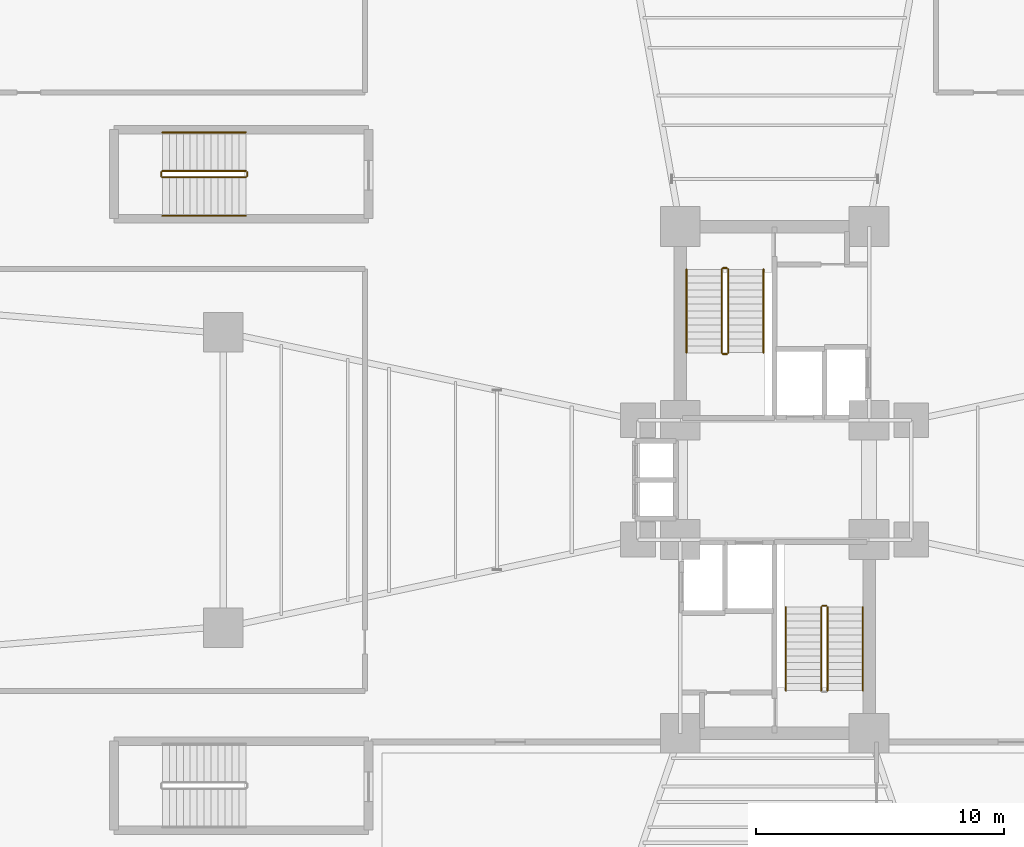
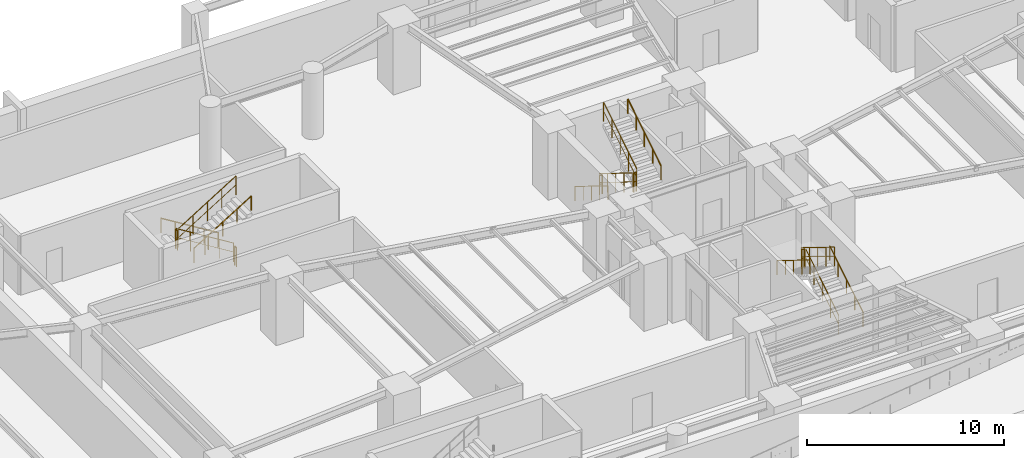
# One storey, part 13 of 14: 17 railings.
"""IFC4 building model written with IfcOpenShell, lengths in metres."""

from ifc_helpers import new_model, si_unit, direction, frame, origin, origin_2d, place, context, subcontext, project, spatial, circle, extrude, material, type_object, element, save


model = new_model("IFC4")

# Units and contexts
model_context = context("Model", 3, precision=1e-05, world=origin(), true_north=direction((0.0, 1.0)))
body_context = subcontext(model_context, "Body", "Model", "MODEL_VIEW")
ifc_project = project(units=[si_unit("LENGTHUNIT", "METRE"), si_unit("AREAUNIT", "SQUARE_METRE"), si_unit("VOLUMEUNIT", "CUBIC_METRE"), si_unit("PLANEANGLEUNIT", "RADIAN"), si_unit("MASSUNIT", "GRAM", prefix="KILO")], contexts=[model_context])

# Site, building, storey
site_placement = place(None, origin())
site = spatial("IfcSite", under=ifc_project, at=site_placement, CompositionType="ELEMENT")
building_placement = place(site_placement, origin())
building = spatial("IfcBuilding", under=site, at=building_placement, Name="Sahyath Konkavel Grand Hotel", CompositionType="ELEMENT")
storey_placement = place(building_placement, frame((0.0, 0.0, -4.5)))
storey = spatial("IfcBuildingStorey", under=building, at=storey_placement, Name="B1", CompositionType="ELEMENT", Elevation=-4.5)

# Railings
ifc_material_1 = material(Name="Steel E350", Category="steel")
railing_type_1 = type_object("IfcRailingType", Name="RLG-STAIR-GRD", PredefinedType="GUARDRAIL", material=ifc_material_1)
railing_1_placement = place(storey_placement, frame((-2.1298828125, 8.47998046875, 0.173095703125)))
element("IfcRailing", 1, at=railing_1_placement, inside=storey, type_object=railing_type_1, Name="B1 ST-1 stair guard 1", PredefinedType="GUARDRAIL", context=body_context, shape_type="SweptSolid", body=[
    extrude(circle(Radius=0.02392578125, at=origin_2d()), frame((0.0, -0.001708984375, 1.177001953125), z_axis=(0.0, -0.850606129759, 0.525803396734), x_axis=(1.0, 0.0, 0.0)), (0.0, 0.0, 1.0), 3.946044921875),
    extrude(circle(Radius=0.01416015625, at=origin_2d()), frame((0.0, -0.001708984375, 0.625), z_axis=(0.0, -0.850606129759, 0.525803396734), x_axis=(1.0, 0.0, 0.0)), (0.0, 0.0, 1.0), 3.946044921875),
    extrude(circle(Radius=0.02099609375, at=origin_2d()), origin(), (0.0, 0.0, 1.0), 1.15185546875),
    extrude(circle(Radius=0.02099609375, at=origin_2d()), frame((0.0, -0.83984375, 0.519287109375)), (0.0, 0.0, 1.0), 1.15185546875),
    extrude(circle(Radius=0.02099609375, at=origin_2d()), frame((0.0, -1.679931640625, 1.03857421875)), (0.0, 0.0, 1.0), 1.15185546875),
    extrude(circle(Radius=0.02099609375, at=origin_2d()), frame((0.0, -2.52001953125, 1.5576171875)), (0.0, 0.0, 1.0), 1.15185546875),
    extrude(circle(Radius=0.02099609375, at=origin_2d()), frame((0.0, -3.35986328125, 2.076904296875)), (0.0, 0.0, 1.0), 1.15185546875),
])
railing_2_placement = place(storey_placement, frame((-2.080078125, 5.070068359375, 2.25)))
element("IfcRailing", 2, at=railing_2_placement, inside=storey, type_object=railing_type_1, Name="B1 ST-1 stair guard 2", PredefinedType="GUARDRAIL", context=body_context, shape_type="SweptSolid", body=[
    extrude(circle(Radius=0.02392578125, at=origin_2d()), frame((0.001953125, 0.0, 1.17578125), z_axis=(1.0, 0.0, 0.0), x_axis=(0.0, 1.0, 0.0)), (0.0, 0.0, 1.0), 0.15625),
    extrude(circle(Radius=0.01416015625, at=origin_2d()), frame((0.001953125, 0.0, 0.6240234375), z_axis=(1.0, 0.0, 0.0), x_axis=(0.0, 1.0, 0.0)), (0.0, 0.0, 1.0), 0.15625),
    extrude(circle(Radius=0.02099609375, at=origin_2d()), origin(), (0.0, 0.0, 1.0), 1.15185546875),
    extrude(circle(Radius=0.02099609375, at=origin_2d()), frame((0.16015625, 0.0, 0.0)), (0.0, 0.0, 1.0), 1.15185546875),
])
railing_3_placement = place(storey_placement, frame((-1.8701171875, 5.1201171875, 2.423095703125)))
element("IfcRailing", 3, at=railing_3_placement, inside=storey, type_object=railing_type_1, Name="B1 ST-1 stair guard 3", PredefinedType="GUARDRAIL", context=body_context, shape_type="SweptSolid", body=[
    extrude(circle(Radius=0.02392578125, at=origin_2d()), frame((0.0, 0.001708984375, 1.177001953125), z_axis=(0.0, 0.850606129759, 0.525803396734), x_axis=(-1.0, 0.0, 0.0)), (0.0, 0.0, 1.0), 3.946044921875),
    extrude(circle(Radius=0.01416015625, at=origin_2d()), frame((0.0, 0.001708984375, 0.625), z_axis=(0.0, 0.850606129759, 0.525803396734), x_axis=(-1.0, 0.0, 0.0)), (0.0, 0.0, 1.0), 3.946044921875),
    extrude(circle(Radius=0.02099609375, at=origin_2d()), origin(), (0.0, 0.0, 1.0), 1.15185546875),
    extrude(circle(Radius=0.02099609375, at=origin_2d()), frame((0.0, 0.83984375, 0.519287109375)), (0.0, 0.0, 1.0), 1.15185546875),
    extrude(circle(Radius=0.02099609375, at=origin_2d()), frame((0.0, 1.679931640625, 1.03857421875)), (0.0, 0.0, 1.0), 1.15185546875),
    extrude(circle(Radius=0.02099609375, at=origin_2d()), frame((0.0, 2.52001953125, 1.5576171875)), (0.0, 0.0, 1.0), 1.15185546875),
    extrude(circle(Radius=0.02099609375, at=origin_2d()), frame((0.0, 3.35986328125, 2.076904296875)), (0.0, 0.0, 1.0), 1.15185546875),
])
railing_4_placement = place(storey_placement, frame((-2.080078125, 8.530029296875, 0.0)))
element("IfcRailing", 4, at=railing_4_placement, inside=storey, type_object=railing_type_1, Name="B1 ST-1 stair guard 4", PredefinedType="GUARDRAIL", context=body_context, shape_type="SweptSolid", body=[
    extrude(circle(Radius=0.02392578125, at=origin_2d()), frame((0.001953125, 0.0, 1.17578125), z_axis=(1.0, 0.0, 0.0), x_axis=(0.0, 1.0, 0.0)), (0.0, 0.0, 1.0), 0.15625),
    extrude(circle(Radius=0.01416015625, at=origin_2d()), frame((0.001953125, 0.0, 0.6240234375), z_axis=(1.0, 0.0, 0.0), x_axis=(0.0, 1.0, 0.0)), (0.0, 0.0, 1.0), 0.15625),
    extrude(circle(Radius=0.02099609375, at=origin_2d()), origin(), (0.0, 0.0, 1.0), 1.15185546875),
    extrude(circle(Radius=0.02099609375, at=origin_2d()), frame((0.16015625, 0.0, 0.0)), (0.0, 0.0, 1.0), 1.15185546875),
])
railing_5_placement = place(storey_placement, frame((2.1298828125, -8.47998046875, 0.173095703125)))
element("IfcRailing", 5, at=railing_5_placement, inside=storey, type_object=railing_type_1, Name="B1 ST-2 stair guard 1", PredefinedType="GUARDRAIL", context=body_context, shape_type="SweptSolid", body=[
    extrude(circle(Radius=0.02392578125, at=origin_2d()), frame((0.0, 0.001708984375, 1.177001953125), z_axis=(0.0, 0.850606129759, 0.525803396734), x_axis=(-1.0, 0.0, 0.0)), (0.0, 0.0, 1.0), 3.946044921875),
    extrude(circle(Radius=0.01416015625, at=origin_2d()), frame((0.0, 0.001708984375, 0.625), z_axis=(0.0, 0.850606129759, 0.525803396734), x_axis=(-1.0, 0.0, 0.0)), (0.0, 0.0, 1.0), 3.946044921875),
    extrude(circle(Radius=0.02099609375, at=origin_2d()), origin(), (0.0, 0.0, 1.0), 1.15185546875),
    extrude(circle(Radius=0.02099609375, at=origin_2d()), frame((0.0, 0.83984375, 0.519287109375)), (0.0, 0.0, 1.0), 1.15185546875),
    extrude(circle(Radius=0.02099609375, at=origin_2d()), frame((0.0, 1.679931640625, 1.03857421875)), (0.0, 0.0, 1.0), 1.15185546875),
    extrude(circle(Radius=0.02099609375, at=origin_2d()), frame((0.0, 2.52001953125, 1.5576171875)), (0.0, 0.0, 1.0), 1.15185546875),
    extrude(circle(Radius=0.02099609375, at=origin_2d()), frame((0.0, 3.35986328125, 2.076904296875)), (0.0, 0.0, 1.0), 1.15185546875),
])
railing_6_placement = place(storey_placement, frame((2.080078125, -5.070068359375, 2.25)))
element("IfcRailing", 6, at=railing_6_placement, inside=storey, type_object=railing_type_1, Name="B1 ST-2 stair guard 2", PredefinedType="GUARDRAIL", context=body_context, shape_type="SweptSolid", body=[
    extrude(circle(Radius=0.02392578125, at=origin_2d()), frame((-0.001953125, 0.0, 1.17578125), z_axis=(-1.0, 0.0, 0.0), x_axis=(0.0, -1.0, 0.0)), (0.0, 0.0, 1.0), 0.15625),
    extrude(circle(Radius=0.01416015625, at=origin_2d()), frame((-0.001953125, 0.0, 0.6240234375), z_axis=(-1.0, 0.0, 0.0), x_axis=(0.0, -1.0, 0.0)), (0.0, 0.0, 1.0), 0.15625),
    extrude(circle(Radius=0.02099609375, at=origin_2d()), origin(), (0.0, 0.0, 1.0), 1.15185546875),
    extrude(circle(Radius=0.02099609375, at=origin_2d()), frame((-0.16015625, 0.0, 0.0)), (0.0, 0.0, 1.0), 1.15185546875),
])
railing_7_placement = place(storey_placement, frame((1.8701171875, -5.1201171875, 2.423095703125)))
element("IfcRailing", 7, at=railing_7_placement, inside=storey, type_object=railing_type_1, Name="B1 ST-2 stair guard 3", PredefinedType="GUARDRAIL", context=body_context, shape_type="SweptSolid", body=[
    extrude(circle(Radius=0.02392578125, at=origin_2d()), frame((0.0, -0.001708984375, 1.177001953125), z_axis=(0.0, -0.850606129759, 0.525803396734), x_axis=(1.0, 0.0, 0.0)), (0.0, 0.0, 1.0), 3.946044921875),
    extrude(circle(Radius=0.01416015625, at=origin_2d()), frame((0.0, -0.001708984375, 0.625), z_axis=(0.0, -0.850606129759, 0.525803396734), x_axis=(1.0, 0.0, 0.0)), (0.0, 0.0, 1.0), 3.946044921875),
    extrude(circle(Radius=0.02099609375, at=origin_2d()), origin(), (0.0, 0.0, 1.0), 1.15185546875),
    extrude(circle(Radius=0.02099609375, at=origin_2d()), frame((0.0, -0.83984375, 0.519287109375)), (0.0, 0.0, 1.0), 1.15185546875),
    extrude(circle(Radius=0.02099609375, at=origin_2d()), frame((0.0, -1.679931640625, 1.03857421875)), (0.0, 0.0, 1.0), 1.15185546875),
    extrude(circle(Radius=0.02099609375, at=origin_2d()), frame((0.0, -2.52001953125, 1.5576171875)), (0.0, 0.0, 1.0), 1.15185546875),
    extrude(circle(Radius=0.02099609375, at=origin_2d()), frame((0.0, -3.35986328125, 2.076904296875)), (0.0, 0.0, 1.0), 1.15185546875),
])
railing_8_placement = place(storey_placement, frame((-21.2900390625, 12.43994140625, 0.173095703125)))
element("IfcRailing", 8, at=railing_8_placement, inside=storey, type_object=railing_type_1, Name="B1 ST-P1 stair guard 1", PredefinedType="GUARDRAIL", context=body_context, shape_type="SweptSolid", body=[
    extrude(circle(Radius=0.02392578125, at=origin_2d()), frame((-0.001708984375, 0.0, 1.177001953125), z_axis=(-0.850606129759, 0.0, 0.525803396734), x_axis=(0.0, -1.0, 0.0)), (0.0, 0.0, 1.0), 3.946044921875),
    extrude(circle(Radius=0.01416015625, at=origin_2d()), frame((-0.001708984375, 0.0, 0.625), z_axis=(-0.850606129759, 0.0, 0.525803396734), x_axis=(0.0, -1.0, 0.0)), (0.0, 0.0, 1.0), 3.946044921875),
    extrude(circle(Radius=0.02099609375, at=origin_2d()), origin(), (0.0, 0.0, 1.0), 1.15185546875),
    extrude(circle(Radius=0.02099609375, at=origin_2d()), frame((-0.83984375, 0.0, 0.519287109375)), (0.0, 0.0, 1.0), 1.15185546875),
    extrude(circle(Radius=0.02099609375, at=origin_2d()), frame((-1.679931640625, 0.0, 1.03857421875)), (0.0, 0.0, 1.0), 1.15185546875),
    extrude(circle(Radius=0.02099609375, at=origin_2d()), frame((-2.52001953125, 0.0, 1.5576171875)), (0.0, 0.0, 1.0), 1.15185546875),
    extrude(circle(Radius=0.02099609375, at=origin_2d()), frame((-3.35986328125, 0.0, 2.076904296875)), (0.0, 0.0, 1.0), 1.15185546875),
])
railing_9_placement = place(storey_placement, frame((-24.699951171875, 12.389892578125, 2.25)))
element("IfcRailing", 9, at=railing_9_placement, inside=storey, type_object=railing_type_1, Name="B1 ST-P1 stair guard 2", PredefinedType="GUARDRAIL", context=body_context, shape_type="SweptSolid", body=[
    extrude(circle(Radius=0.02392578125, at=origin_2d()), frame((0.0, -0.001953125, 1.17578125), z_axis=(0.0, -1.0, 0.0), x_axis=(1.0, 0.0, 0.0)), (0.0, 0.0, 1.0), 0.156005859375),
    extrude(circle(Radius=0.01416015625, at=origin_2d()), frame((0.0, -0.001953125, 0.6240234375), z_axis=(0.0, -1.0, 0.0), x_axis=(1.0, 0.0, 0.0)), (0.0, 0.0, 1.0), 0.156005859375),
    extrude(circle(Radius=0.02099609375, at=origin_2d()), origin(), (0.0, 0.0, 1.0), 1.15185546875),
    extrude(circle(Radius=0.02099609375, at=origin_2d()), frame((0.0, -0.159912109375, 0.0)), (0.0, 0.0, 1.0), 1.15185546875),
])
railing_10_placement = place(storey_placement, frame((-24.64990234375, 12.179931640625, 2.423095703125)))
element("IfcRailing", 10, at=railing_10_placement, inside=storey, type_object=railing_type_1, Name="B1 ST-P1 stair guard 3", PredefinedType="GUARDRAIL", context=body_context, shape_type="SweptSolid", body=[
    extrude(circle(Radius=0.02392578125, at=origin_2d()), frame((0.001708984375, 0.0, 1.177001953125), z_axis=(0.850606129759, 0.0, 0.525803396734), x_axis=(0.0, 1.0, 0.0)), (0.0, 0.0, 1.0), 3.946044921875),
    extrude(circle(Radius=0.01416015625, at=origin_2d()), frame((0.001708984375, 0.0, 0.625), z_axis=(0.850606129759, 0.0, 0.525803396734), x_axis=(0.0, 1.0, 0.0)), (0.0, 0.0, 1.0), 3.946044921875),
    extrude(circle(Radius=0.02099609375, at=origin_2d()), origin(), (0.0, 0.0, 1.0), 1.15185546875),
    extrude(circle(Radius=0.02099609375, at=origin_2d()), frame((0.83984375, 0.0, 0.519287109375)), (0.0, 0.0, 1.0), 1.15185546875),
    extrude(circle(Radius=0.02099609375, at=origin_2d()), frame((1.679931640625, 0.0, 1.03857421875)), (0.0, 0.0, 1.0), 1.15185546875),
    extrude(circle(Radius=0.02099609375, at=origin_2d()), frame((2.52001953125, 0.0, 1.5576171875)), (0.0, 0.0, 1.0), 1.15185546875),
    extrude(circle(Radius=0.02099609375, at=origin_2d()), frame((3.35986328125, 0.0, 2.076904296875)), (0.0, 0.0, 1.0), 1.15185546875),
])
railing_11_placement = place(storey_placement, frame((-21.239990234375, 12.389892578125, 0.0)))
element("IfcRailing", 11, at=railing_11_placement, inside=storey, type_object=railing_type_1, Name="B1 ST-P1 stair guard 4", PredefinedType="GUARDRAIL", context=body_context, shape_type="SweptSolid", body=[
    extrude(circle(Radius=0.02392578125, at=origin_2d()), frame((0.0, -0.001953125, 1.17578125), z_axis=(0.0, -1.0, 0.0), x_axis=(1.0, 0.0, 0.0)), (0.0, 0.0, 1.0), 0.156005859375),
    extrude(circle(Radius=0.01416015625, at=origin_2d()), frame((0.0, -0.001953125, 0.6240234375), z_axis=(0.0, -1.0, 0.0), x_axis=(1.0, 0.0, 0.0)), (0.0, 0.0, 1.0), 0.156005859375),
    extrude(circle(Radius=0.02099609375, at=origin_2d()), origin(), (0.0, 0.0, 1.0), 1.15185546875),
    extrude(circle(Radius=0.02099609375, at=origin_2d()), frame((0.0, -0.159912109375, 0.0)), (0.0, 0.0, 1.0), 1.15185546875),
])
ifc_material_2 = material(Name="Anodised Bronze Aluminium", Category="aluminium")
railing_type_2 = type_object("IfcRailingType", Name="RLG-STAIR-HND", PredefinedType="HANDRAIL", material=ifc_material_2)
railing_12_placement = place(storey_placement, frame((-3.550048828125, 8.47998046875, 0.173095703125)))
element("IfcRailing", 12, at=railing_12_placement, inside=storey, type_object=railing_type_2, Name="B1 ST-1 stair handrail 1", PredefinedType="HANDRAIL", context=body_context, shape_type="SweptSolid", body=[
    extrude(circle(Radius=0.02392578125, at=origin_2d()), frame((0.0, -0.001708984375, 0.876953125), z_axis=(0.0, -0.850606129759, 0.525803396734), x_axis=(1.0, 0.0, 0.0)), (0.0, 0.0, 1.0), 3.946044921875),
    extrude(circle(Radius=0.02099609375, at=origin_2d()), origin(), (0.0, 0.0, 1.0), 0.851806640625),
    extrude(circle(Radius=0.02099609375, at=origin_2d()), frame((0.0, -0.83984375, 0.519287109375)), (0.0, 0.0, 1.0), 0.851806640625),
    extrude(circle(Radius=0.02099609375, at=origin_2d()), frame((0.0, -1.679931640625, 1.03857421875)), (0.0, 0.0, 1.0), 0.851806640625),
    extrude(circle(Radius=0.02099609375, at=origin_2d()), frame((0.0, -2.52001953125, 1.5576171875)), (0.0, 0.0, 1.0), 0.851806640625),
    extrude(circle(Radius=0.02099609375, at=origin_2d()), frame((0.0, -3.35986328125, 2.076904296875)), (0.0, 0.0, 1.0), 0.851806640625),
])
for number, where, name in (
    (13, (-0.449951171875, 5.1201171875, 2.423095703125), "B1 ST-1 stair handrail 2"),
    (14, (3.550048828125, -8.47998046875, 0.173095703125), "B1 ST-2 stair handrail 1"),
):
    element("IfcRailing", number, at=place(storey_placement, frame(where)), inside=storey, type_object=railing_type_2, Name=name, PredefinedType="HANDRAIL", context=body_context, shape_type="SweptSolid", body=[
        extrude(circle(Radius=0.02392578125, at=origin_2d()), frame((0.0, 0.001708984375, 0.876953125), z_axis=(0.0, 0.850606129759, 0.525803396734), x_axis=(-1.0, 0.0, 0.0)), (0.0, 0.0, 1.0), 3.946044921875),
        extrude(circle(Radius=0.02099609375, at=origin_2d()), origin(), (0.0, 0.0, 1.0), 0.851806640625),
        extrude(circle(Radius=0.02099609375, at=origin_2d()), frame((0.0, 0.83984375, 0.519287109375)), (0.0, 0.0, 1.0), 0.851806640625),
        extrude(circle(Radius=0.02099609375, at=origin_2d()), frame((0.0, 1.679931640625, 1.03857421875)), (0.0, 0.0, 1.0), 0.851806640625),
        extrude(circle(Radius=0.02099609375, at=origin_2d()), frame((0.0, 2.52001953125, 1.5576171875)), (0.0, 0.0, 1.0), 0.851806640625),
        extrude(circle(Radius=0.02099609375, at=origin_2d()), frame((0.0, 3.35986328125, 2.076904296875)), (0.0, 0.0, 1.0), 0.851806640625),
    ])
railing_13_placement = place(storey_placement, frame((0.449951171875, -5.1201171875, 2.423095703125)))
element("IfcRailing", 15, at=railing_13_placement, inside=storey, type_object=railing_type_2, Name="B1 ST-2 stair handrail 2", PredefinedType="HANDRAIL", context=body_context, shape_type="SweptSolid", body=[
    extrude(circle(Radius=0.02392578125, at=origin_2d()), frame((0.0, -0.001708984375, 0.876953125), z_axis=(0.0, -0.850606129759, 0.525803396734), x_axis=(1.0, 0.0, 0.0)), (0.0, 0.0, 1.0), 3.946044921875),
    extrude(circle(Radius=0.02099609375, at=origin_2d()), origin(), (0.0, 0.0, 1.0), 0.851806640625),
    extrude(circle(Radius=0.02099609375, at=origin_2d()), frame((0.0, -0.83984375, 0.519287109375)), (0.0, 0.0, 1.0), 0.851806640625),
    extrude(circle(Radius=0.02099609375, at=origin_2d()), frame((0.0, -1.679931640625, 1.03857421875)), (0.0, 0.0, 1.0), 0.851806640625),
    extrude(circle(Radius=0.02099609375, at=origin_2d()), frame((0.0, -2.52001953125, 1.5576171875)), (0.0, 0.0, 1.0), 0.851806640625),
    extrude(circle(Radius=0.02099609375, at=origin_2d()), frame((0.0, -3.35986328125, 2.076904296875)), (0.0, 0.0, 1.0), 0.851806640625),
])
railing_14_placement = place(storey_placement, frame((-21.2900390625, 13.989990234375, 0.173095703125)))
element("IfcRailing", 16, at=railing_14_placement, inside=storey, type_object=railing_type_2, Name="B1 ST-P1 stair handrail 1", PredefinedType="HANDRAIL", context=body_context, shape_type="SweptSolid", body=[
    extrude(circle(Radius=0.02392578125, at=origin_2d()), frame((-0.001708984375, 0.0, 0.876953125), z_axis=(-0.850606129759, 0.0, 0.525803396734), x_axis=(0.0, -1.0, 0.0)), (0.0, 0.0, 1.0), 3.946044921875),
    extrude(circle(Radius=0.02099609375, at=origin_2d()), origin(), (0.0, 0.0, 1.0), 0.851806640625),
    extrude(circle(Radius=0.02099609375, at=origin_2d()), frame((-0.83984375, 0.0, 0.519287109375)), (0.0, 0.0, 1.0), 0.851806640625),
    extrude(circle(Radius=0.02099609375, at=origin_2d()), frame((-1.679931640625, 0.0, 1.03857421875)), (0.0, 0.0, 1.0), 0.851806640625),
    extrude(circle(Radius=0.02099609375, at=origin_2d()), frame((-2.52001953125, 0.0, 1.5576171875)), (0.0, 0.0, 1.0), 0.851806640625),
    extrude(circle(Radius=0.02099609375, at=origin_2d()), frame((-3.35986328125, 0.0, 2.076904296875)), (0.0, 0.0, 1.0), 0.851806640625),
])
railing_15_placement = place(storey_placement, frame((-24.64990234375, 10.6298828125, 2.423095703125)))
element("IfcRailing", 17, at=railing_15_placement, inside=storey, type_object=railing_type_2, Name="B1 ST-P1 stair handrail 2", PredefinedType="HANDRAIL", context=body_context, shape_type="SweptSolid", body=[
    extrude(circle(Radius=0.02392578125, at=origin_2d()), frame((0.001708984375, 0.0, 0.876953125), z_axis=(0.850606129759, 0.0, 0.525803396734), x_axis=(0.0, 1.0, 0.0)), (0.0, 0.0, 1.0), 3.946044921875),
    extrude(circle(Radius=0.02099609375, at=origin_2d()), origin(), (0.0, 0.0, 1.0), 0.851806640625),
    extrude(circle(Radius=0.02099609375, at=origin_2d()), frame((0.83984375, 0.0, 0.519287109375)), (0.0, 0.0, 1.0), 0.851806640625),
    extrude(circle(Radius=0.02099609375, at=origin_2d()), frame((1.679931640625, 0.0, 1.03857421875)), (0.0, 0.0, 1.0), 0.851806640625),
    extrude(circle(Radius=0.02099609375, at=origin_2d()), frame((2.52001953125, 0.0, 1.5576171875)), (0.0, 0.0, 1.0), 0.851806640625),
    extrude(circle(Radius=0.02099609375, at=origin_2d()), frame((3.35986328125, 0.0, 2.076904296875)), (0.0, 0.0, 1.0), 0.851806640625),
])

save(model, "model.ifc")
